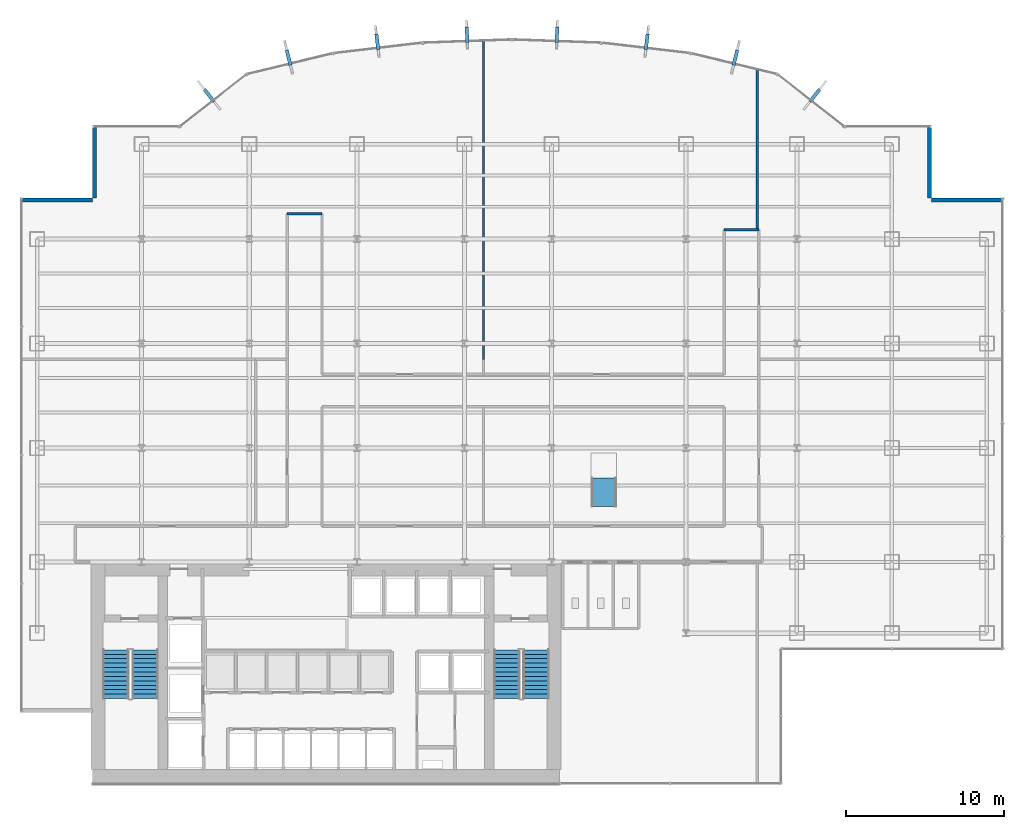
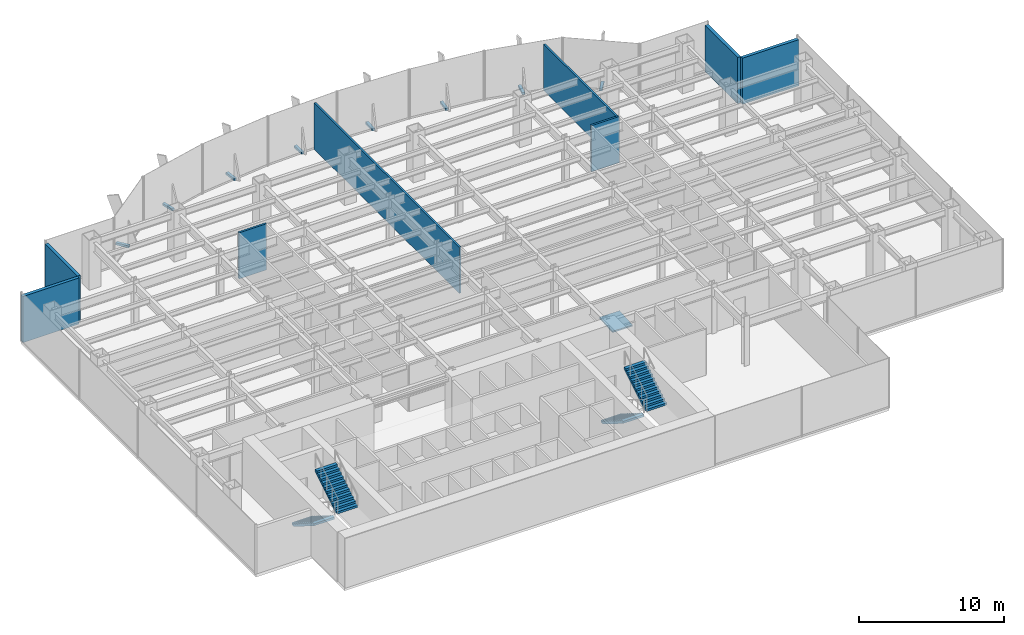
# One storey, part 31 of 35: 8 discrete accessories, 8 walls, 4 stair flights, 1 ramp flight, 3 elements without a shape of their own.
"""IFC4 building model written with IfcOpenShell, lengths in metres."""

import ifcopenshell
import ifcopenshell.guid

model = None  # the IFC model being written
_history = None  # IfcOwnerHistory: only IFC2X3 demands one
_inside = {}  # id of a spatial element -> (the spatial element, [elements in it])
_under = {}  # id of a project, library or spatial element -> (it, [spatial elements below it])
_declared = {}  # id of a project -> (the project, [libraries it declares])
_typed = {}  # id of a type object -> (the type object, [elements of that type])
_made_of = {}  # id of a material, layer set ... -> (it, [elements and type objects made of it])


def new_model(schema):
    """Start an empty IFC model of exactly this schema.

    Asked for "IFC4X3", IfcOpenShell would pick the latest addendum, in which some entities
    have other attributes; the version numbers below select the first issue.
    IFC2X3 requires an IfcOwnerHistory on every rooted entity: one is made here for all.
    """
    global model, _history
    if schema == "IFC4X3":
        model = ifcopenshell.file(schema_version=(4, 3, 0, 0))
    else:
        model = ifcopenshell.file(schema=schema)
    _inside.clear()
    _under.clear()
    _declared.clear()
    _typed.clear()
    _made_of.clear()
    _history = None
    if model.schema == "IFC2X3":
        org = make("IfcOrganization", Name="unknown")
        user = make(
            "IfcPersonAndOrganization",
            ThePerson=make("IfcPerson", FamilyName="unknown"),
            TheOrganization=org,
        )
        app = make(
            "IfcApplication",
            ApplicationDeveloper=org,
            Version="unknown",
            ApplicationFullName="unknown",
            ApplicationIdentifier="unknown",
        )
        _history = make(
            "IfcOwnerHistory",
            OwningUser=user,
            OwningApplication=app,
            ChangeAction="ADDED",
            CreationDate=0,
        )
    return model


def make(cls, **values):
    """One entity of the class cls with the attributes given. An attribute that is None is left unset."""
    return model.create_entity(
        cls, **{name: value for name, value in values.items() if value is not None}
    )


def rooted(cls, **values):
    """An entity with a GlobalId (a new one), such as an element, a storey or a relation."""
    return make(cls, GlobalId=ifcopenshell.guid.new(), OwnerHistory=_history, **values)


def si_unit(unit_type, name, prefix=None):
    """IfcSIUnit, for example si_unit("LENGTHUNIT", "METRE", prefix="MILLI")."""
    return make("IfcSIUnit", UnitType=unit_type, Prefix=prefix, Name=name)


def derived_unit(unit_type, elements):
    """IfcDerivedUnit: a product of units, each with its exponent."""
    return make(
        "IfcDerivedUnit",
        Elements=[
            make("IfcDerivedUnitElement", Unit=unit, Exponent=power)
            for unit, power in elements
        ],
        UnitType=unit_type,
    )


def assignment(units):
    """IfcUnitAssignment: the units of a project."""
    return None if units is None else make("IfcUnitAssignment", Units=units)


def point(xyz):
    """IfcCartesianPoint."""
    return None if xyz is None else make("IfcCartesianPoint", Coordinates=xyz)


def direction(xyz):
    """IfcDirection."""
    return None if xyz is None else make("IfcDirection", DirectionRatios=xyz)


def frame(location, z_axis=None, x_axis=None):
    """IfcAxis2Placement3D, a coordinate frame: its origin and axes. An axis left out is left unset."""
    return make(
        "IfcAxis2Placement3D",
        Location=point(location),
        Axis=direction(z_axis),
        RefDirection=direction(x_axis),
    )


def frame_2d(location, x_axis=None):
    """IfcAxis2Placement2D, a coordinate frame in the plane: its origin and x axis."""
    return make(
        "IfcAxis2Placement2D", Location=point(location), RefDirection=direction(x_axis)
    )


def origin():
    """The frame at (0, 0, 0) with its axes left unset."""
    return frame((0.0, 0.0, 0.0))


def origin_2d():
    """The frame at (0, 0) in the plane with its x axis left unset."""
    return frame_2d((0.0, 0.0))


def place(relative_to, where):
    """IfcLocalPlacement: puts the frame where relative to a parent placement (None: the world)."""
    return make(
        "IfcLocalPlacement", PlacementRelTo=relative_to, RelativePlacement=where
    )


def context(
    kind, dimensions, precision=None, world=None, true_north=None, identifier=None
):
    """IfcGeometricRepresentationContext, for example the 3D "Model" context."""
    return make(
        "IfcGeometricRepresentationContext",
        ContextIdentifier=identifier,
        ContextType=kind,
        CoordinateSpaceDimension=dimensions,
        Precision=precision,
        WorldCoordinateSystem=world,
        TrueNorth=true_north,
    )


def subcontext(parent, identifier, kind, view, scale=None):
    """IfcGeometricRepresentationSubContext, for example "Body" below "Model"."""
    return make(
        "IfcGeometricRepresentationSubContext",
        ContextIdentifier=identifier,
        ContextType=kind,
        ParentContext=parent,
        TargetScale=scale,
        TargetView=view,
    )


def project(units=None, contexts=None):
    """IfcProject with its units and contexts."""
    return rooted(
        "IfcProject",
        Name="project",
        RepresentationContexts=contexts,
        UnitsInContext=assignment(units),
    )


def spatial(cls, under=None, at=None, **own):
    """A site, building, storey or space (cls), placed at a placement, below another one or the project."""
    s = rooted(cls, ObjectPlacement=at, **own)
    if under is not None:
        _under.setdefault(under.id(), (under, []))[1].append(s)
    return s


def polyline(points):
    """IfcPolyline through the points."""
    return make("IfcPolyline", Points=[point(p) for p in points])


def profile(cls, at=None, kind="AREA", **sizes):
    """A parametric profile (cls). Its sizes go by their IFC names, for example OverallWidth=200.0."""
    return make(cls, ProfileType=kind, Position=at, **sizes)


def rectangle(**sizes):
    """IfcRectangleProfileDef."""
    return profile("IfcRectangleProfileDef", **sizes)


def outline(outer, holes=None, kind="AREA"):
    """IfcArbitraryClosedProfileDef: a profile drawn as a closed curve; with holes, ...WithVoids."""
    if holes is None:
        return make("IfcArbitraryClosedProfileDef", ProfileType=kind, OuterCurve=outer)
    return make(
        "IfcArbitraryProfileDefWithVoids",
        ProfileType=kind,
        OuterCurve=outer,
        InnerCurves=holes,
    )


def extrude(swept, where, along, depth):
    """IfcExtrudedAreaSolid: the profile swept, set in the frame where, extruded along a direction by depth."""
    return make(
        "IfcExtrudedAreaSolid",
        SweptArea=swept,
        Position=where,
        ExtrudedDirection=direction(along),
        Depth=depth,
    )


def shape(context_of_items, identifier, shape_type, items):
    """IfcShapeRepresentation: the items that make up one representation, for example the "Body"."""
    return make(
        "IfcShapeRepresentation",
        ContextOfItems=context_of_items,
        RepresentationIdentifier=identifier,
        RepresentationType=shape_type,
        Items=items,
    )


def source(mapping_origin, context_of_items, identifier, shape_type, items):
    """IfcRepresentationMap: a shape defined once, which mapped items show again and again."""
    return make(
        "IfcRepresentationMap",
        MappingOrigin=mapping_origin,
        MappedRepresentation=shape(context_of_items, identifier, shape_type, items),
    )


def transform(
    local_origin,
    x_axis=None,
    y_axis=None,
    z_axis=None,
    scale=None,
    scale2=None,
    scale3=None,
    uniform=True,
):
    """IfcCartesianTransformationOperator3D, or its non-uniform kind. x_axis, y_axis, z_axis: its Axis1, 2, 3."""
    if uniform:
        return make(
            "IfcCartesianTransformationOperator3D",
            Axis1=direction(x_axis),
            Axis2=direction(y_axis),
            LocalOrigin=point(local_origin),
            Scale=scale,
            Axis3=direction(z_axis),
        )
    return make(
        "IfcCartesianTransformationOperator3DnonUniform",
        Axis1=direction(x_axis),
        Axis2=direction(y_axis),
        LocalOrigin=point(local_origin),
        Scale=scale,
        Axis3=direction(z_axis),
        Scale2=scale2,
        Scale3=scale3,
    )


def mapped(mapping_source, mapping_target):
    """IfcMappedItem: shows the shape of a source again, moved by a transform."""
    return make(
        "IfcMappedItem", MappingSource=mapping_source, MappingTarget=mapping_target
    )


def material(Name=None, Category=None):
    """IfcMaterial."""
    return make("IfcMaterial", Name=Name, Category=Category)


def layer(
    of_material, thickness, ventilated=None, Name=None, Category=None, Priority=None
):
    """IfcMaterialLayer: one layer of a wall or slab, of a material (None: an air gap)."""
    return make(
        "IfcMaterialLayer",
        Material=of_material,
        LayerThickness=thickness,
        IsVentilated=ventilated,
        Name=Name,
        Category=Category,
        Priority=Priority,
    )


def layer_set(layers, Name=None):
    """IfcMaterialLayerSet."""
    return make("IfcMaterialLayerSet", MaterialLayers=layers, LayerSetName=Name)


def made_of(thing, what):
    """Note that an element or type object is made of a material, layer set ...; save() writes the relation."""
    if what is not None:
        _made_of.setdefault(what.id(), (what, []))[1].append(thing)
    return thing


def type_object(cls, material=None, **own):
    """A type object (cls), such as IfcWallType, which elements share."""
    return made_of(rooted(cls, **own), material)


def element(
    cls,
    number,
    at=None,
    inside=None,
    cuts=None,
    type_object=None,
    material=None,
    context=None,
    identifier="Body",
    shape_type=None,
    held_by="IfcProductDefinitionShape",
    body=None,
    shapes=None,
    **own,
):
    """One element of the class cls, such as IfcWall. Its Tag is "e" and its number.

    at: its placement. inside: the storey or other place that contains it. cuts: it is an
    opening in that element (IfcRelVoidsElement). A single representation is given by context,
    identifier, shape_type and body (its items); several are given by shapes. held_by: the class
    of the entity that holds the representations. save() writes the other relations.
    """
    e = rooted(cls, Tag="e%d" % number, ObjectPlacement=at, **own)
    if body is not None:
        shapes = [shape(context, identifier, shape_type, body)]
    if shapes is not None:
        e.Representation = make(held_by, Representations=shapes)
    if inside is not None:
        _inside.setdefault(inside.id(), (inside, []))[1].append(e)
    if cuts is not None:
        rooted(
            "IfcRelVoidsElement", RelatingBuildingElement=cuts, RelatedOpeningElement=e
        )
    if type_object is not None:
        _typed.setdefault(type_object.id(), (type_object, []))[1].append(e)
    return made_of(e, material)


def aggregate(whole, parts):
    """IfcRelAggregates: a whole, such as a stair, and the parts it consists of."""
    return rooted("IfcRelAggregates", RelatingObject=whole, RelatedObjects=parts)


def save(model, path):
    """Write the relations noted so far, then the file.

    IfcRelAggregates (storeys below a building ...), IfcRelContainedInSpatialStructure (elements
    in a storey), IfcRelDefinesByType, IfcRelAssociatesMaterial and IfcRelDeclares: one each for
    every whole, place, type object, material and project.
    """
    for whole, parts in _under.values():
        aggregate(whole, parts)
    for where, things in _inside.values():
        rooted(
            "IfcRelContainedInSpatialStructure",
            RelatedElements=things,
            RelatingStructure=where,
        )
    for kind, things in _typed.values():
        rooted("IfcRelDefinesByType", RelatedObjects=things, RelatingType=kind)
    for what, things in _made_of.values():
        rooted("IfcRelAssociatesMaterial", RelatedObjects=things, RelatingMaterial=what)
    for by, libraries in _declared.values():
        rooted("IfcRelDeclares", RelatingContext=by, RelatedDefinitions=libraries)
    model.write(path)


model = new_model("IFC4")

# Units and contexts
model_context = context("Model", 3, precision=1e-05, world=origin(), true_north=direction((0.0, 1.0)))
body_context = subcontext(model_context, "Body", "Model", "MODEL_VIEW")
ifc_project = project(units=[si_unit("LENGTHUNIT", "METRE"), si_unit("AREAUNIT", "SQUARE_METRE"), si_unit("VOLUMEUNIT", "CUBIC_METRE"), si_unit("PLANEANGLEUNIT", "RADIAN"), si_unit("MASSUNIT", "GRAM", prefix="KILO"), derived_unit("THERMALTRANSMITTANCEUNIT", [(si_unit("POWERUNIT", "WATT"), 1), (si_unit("LENGTHUNIT", "METRE"), -2), (si_unit("THERMODYNAMICTEMPERATUREUNIT", "KELVIN"), -1)])], contexts=[model_context])

# Site, building, storey
site_placement = place(None, origin())
site = spatial("IfcSite", under=ifc_project, at=site_placement, CompositionType="ELEMENT")
building_placement = place(site_placement, origin())
building = spatial("IfcBuilding", under=site, at=building_placement, Name="Skarnbrae Concourse Arena and Tower", CompositionType="ELEMENT")
storey_placement = place(building_placement, frame((0.0, 0.0, 79.949951171875)))
storey = spatial("IfcBuildingStorey", under=building, at=storey_placement, Name="L19", CompositionType="ELEMENT", Elevation=79.949951171875)

# Walls
ifc_material_1 = material(Name="Precast concrete 40 MPa (C40/50)", Category="concrete")
ifc_layer_1 = layer(ifc_material_1, 0.25)
ifc_layer_set_1 = layer_set([ifc_layer_1], Name="Precast concrete 40 MPa (C40/50)")
wall_type_1 = type_object("IfcWallType", Name="WALL-EXT-SPANDREL-250", PredefinedType="STANDARD", material=ifc_layer_set_1)
shared_shape_1 = source(origin(), body_context, "Body", "SweptSolid", [
    extrude(rectangle(XDim=4.5, YDim=0.25, at=frame_2d((2.25, 0.0))), origin(), (0.0, 0.0, 1.0), 3.900146484375),
])
for number, where, z_axis, x_axis, name in (
    (1, (62.0, 36.875, 0.0), (0.0, 0.0, 1.0), (-1.0, 0.0, 0.0), "L19 Notched corner insulated return wall 05"),
    (2, (57.375, 37.0, 0.0), (0.0, 0.0, 1.0), (0.0, 1.0, 0.0), "L19 Notched corner insulated return wall 06"),
    (3, (4.625, 41.5, 0.0), (0.0, 0.0, 1.0), (0.0, -1.0, 0.0), "L19 Notched corner insulated return wall 17"),
    (4, (4.5, 36.875, 0.0), (0.0, 0.0, 1.0), (-1.0, 0.0, 0.0), "L19 Notched corner insulated return wall 18"),
):
    element("IfcWall", number, at=place(storey_placement, frame(where, z_axis=z_axis, x_axis=x_axis)), inside=storey, type_object=wall_type_1, Name=name, PredefinedType="STANDARD", context=body_context, shape_type="MappedRepresentation", body=[
        mapped(shared_shape_1, transform((0.0, 0.0, 0.0))),
    ])
ifc_material_2 = material(Name="Gypsum board on cold-formed steel studs", Category="steel")
ifc_layer_2 = layer(ifc_material_2, 0.14990234375)
ifc_layer_set_2 = layer_set([ifc_layer_2], Name="Gypsum board on cold-formed steel studs")
wall_type_2 = type_object("IfcWallType", Name="WALL-PART-150-1HR", PredefinedType="PARTITIONING", material=ifc_layer_set_2)
shared_shape_2 = source(origin(), body_context, "Body", "SweptSolid", [
    extrude(rectangle(XDim=2.199951171875, YDim=0.14990234375, at=frame_2d((1.10009765625, 0.0))), origin(), (0.0, 0.0, 1.0), 3.900146484375),
])
wall_1_placement = place(storey_placement, frame((16.800048828125, 36.0, 0.0), z_axis=(0.0, 0.0, 1.0), x_axis=(1.0, 0.0, 0.0)))
element("IfcWall", 5, at=wall_1_placement, inside=storey, type_object=wall_type_2, Name="L19 Interior partition wall W-L19-COR-07", PredefinedType="PARTITIONING", context=body_context, shape_type="MappedRepresentation", body=[
    mapped(shared_shape_2, transform((0.0, 0.0, 0.0))),
])
shared_shape_3 = source(origin(), body_context, "Body", "SweptSolid", [
    extrude(rectangle(XDim=2.2001953125, YDim=0.14990234375, at=frame_2d((1.10009765625, 0.0))), origin(), (0.0, 0.0, 1.0), 3.900146484375),
])
wall_2_placement = place(storey_placement, frame((44.39990234375, 35.0, 0.0), z_axis=(0.0, 0.0, 1.0), x_axis=(1.0, 0.0, 0.0)))
element("IfcWall", 6, at=wall_2_placement, inside=storey, type_object=wall_type_2, Name="L19 Interior partition wall W-L19-COR-11", PredefinedType="PARTITIONING", context=body_context, shape_type="MappedRepresentation", body=[
    mapped(shared_shape_3, transform((0.0, 0.0, 0.0))),
])
ifc_layer_3 = layer(ifc_material_2, 0.14990234375)
ifc_layer_set_3 = layer_set([ifc_layer_3], Name="Gypsum board on cold-formed steel studs")
wall_type_3 = type_object("IfcWallType", Name="WALL-PART-150", PredefinedType="PARTITIONING", material=ifc_layer_set_3)
shared_shape_4 = source(origin(), body_context, "Body", "SweptSolid", [
    extrude(rectangle(XDim=20.115234375, YDim=0.14990234375, at=frame_2d((10.0576171875, 0.0))), origin(), (0.0, 0.0, 1.0), 3.900146484375),
])
wall_3_placement = place(storey_placement, frame((29.199951171875, 46.915283203125, 0.0), z_axis=(0.0, 0.0, 1.0), x_axis=(0.0, -1.0, 0.0)))
element("IfcWall", 7, at=wall_3_placement, inside=storey, type_object=wall_type_3, Name="L19 Interior partition wall W-L19-DEM-26", PredefinedType="PARTITIONING", context=body_context, shape_type="MappedRepresentation", body=[
    mapped(shared_shape_4, transform((0.0, 0.0, 0.0))),
])
shared_shape_5 = source(origin(), body_context, "Body", "SweptSolid", [
    extrude(rectangle(XDim=10.097412109375, YDim=0.14990234375, at=frame_2d((5.048828125, 0.0))), origin(), (0.0, 0.0, 1.0), 3.900146484375),
])
wall_4_placement = place(storey_placement, frame((46.5, 45.097412109375, 0.0), z_axis=(0.0, 0.0, 1.0), x_axis=(0.0, -1.0, 0.0)))
element("IfcWall", 8, at=wall_4_placement, inside=storey, type_object=wall_type_3, Name="L19 Interior partition wall W-L19-DEM-29", PredefinedType="PARTITIONING", context=body_context, shape_type="MappedRepresentation", body=[
    mapped(shared_shape_5, transform((0.0, 0.0, 0.0))),
])

# Stair, stair flights
ifc_material_3 = material(Name="Concrete 40 MPa (C40/50)", Category="concrete")
stair_type = type_object("IfcStairType", Name="STAIR-DOGLEG-1650", PredefinedType="HALF_TURN_STAIR", material=ifc_material_3)
stair_1_placement = place(storey_placement, origin())
stair_1 = element("IfcStair", 9, at=stair_1_placement, inside=storey, type_object=stair_type, Name="L19 Protected Exit Stair ST-1", PredefinedType="HALF_TURN_STAIR")
stair_flight_type = type_object("IfcStairFlightType", Name="FLIGHT-STRAIGHT-1650", PredefinedType="STRAIGHT", material=ifc_material_3)
shared_shape_6 = source(origin(), body_context, "Body", "SweptSolid", [
    extrude(outline(polyline([(0.0, 0.0), (0.0, 0.175048828125), (0.280029296875, 0.175048828125), (0.280029296875, 0.35009765625), (0.56005859375, 0.35009765625), (0.56005859375, 0.52490234375), (0.840087890625, 0.52490234375), (0.840087890625, 0.699951171875), (1.1201171875, 0.699951171875), (1.1201171875, 0.875), (1.39990234375, 0.875), (1.39990234375, 1.050048828125), (1.679931640625, 1.050048828125), (1.679931640625, 1.22509765625), (1.9599609375, 1.22509765625), (1.9599609375, 1.39990234375), (2.239990234375, 1.39990234375), (2.239990234375, 1.574951171875), (2.52001953125, 1.574951171875), (2.52001953125, 1.75), (2.800048828125, 1.75), (2.800048828125, 1.925048828125), (3.080078125, 1.925048828125), (3.080078125, 2.10009765625), (3.080078125, 1.748291015625), (0.28271484375, 0.0), (0.0, 0.0)])), frame((0.0, 0.824951171875, 0.0), z_axis=(0.0, -1.0, 0.0), x_axis=(1.0, 0.0, 0.0)), (0.0, 0.0, 1.0), 1.64990234375),
])
stair_flight_1_placement = place(storey_placement, frame((5.97509765625, 8.449951171875, 0.0), z_axis=(0.0, 0.0, 1.0), x_axis=(0.0, -1.0, 0.0)))
stair_flight_1 = element("IfcStairFlight", 10, at=stair_flight_1_placement, type_object=stair_flight_type, Name="ST-1 flight 1", NumberOfRisers=12, NumberOfTreads=11, PredefinedType="STRAIGHT", RiserHeight=0.175, TreadLength=0.28, context=body_context, shape_type="MappedRepresentation", body=[
    mapped(shared_shape_6, transform((0.0, 0.0, 0.0))),
])
stair_flight_2_placement = place(storey_placement, frame((7.824951171875, 5.3701171875, 2.10009765625), z_axis=(0.0, 0.0, 1.0), x_axis=(0.0, 1.0, 0.0)))
stair_flight_2 = element("IfcStairFlight", 11, at=stair_flight_2_placement, type_object=stair_flight_type, Name="ST-1 flight 2", NumberOfRisers=12, NumberOfTreads=11, PredefinedType="STRAIGHT", RiserHeight=0.175, TreadLength=0.28, context=body_context, shape_type="MappedRepresentation", body=[
    mapped(shared_shape_6, transform((0.0, 0.0, 0.0))),
])
aggregate(stair_1, [stair_flight_1, stair_flight_2])

stair_2_placement = place(storey_placement, origin())
stair_2 = element("IfcStair", 12, at=stair_2_placement, inside=storey, type_object=stair_type, Name="L19 Protected Exit Stair ST-2", PredefinedType="HALF_TURN_STAIR")
stair_flight_3_placement = place(storey_placement, frame((30.675048828125, 8.449951171875, 0.0), z_axis=(0.0, 0.0, 1.0), x_axis=(0.0, -1.0, 0.0)))
stair_flight_3 = element("IfcStairFlight", 13, at=stair_flight_3_placement, type_object=stair_flight_type, Name="ST-2 flight 1", NumberOfRisers=12, NumberOfTreads=11, PredefinedType="STRAIGHT", RiserHeight=0.175, TreadLength=0.28, context=body_context, shape_type="MappedRepresentation", body=[
    mapped(shared_shape_6, transform((0.0, 0.0, 0.0))),
])
stair_flight_4_placement = place(storey_placement, frame((32.52490234375, 5.3701171875, 2.10009765625), z_axis=(0.0, 0.0, 1.0), x_axis=(0.0, 1.0, 0.0)))
stair_flight_4 = element("IfcStairFlight", 14, at=stair_flight_4_placement, type_object=stair_flight_type, Name="ST-2 flight 2", NumberOfRisers=12, NumberOfTreads=11, PredefinedType="STRAIGHT", RiserHeight=0.175, TreadLength=0.28, context=body_context, shape_type="MappedRepresentation", body=[
    mapped(shared_shape_6, transform((0.0, 0.0, 0.0))),
])
aggregate(stair_2, [stair_flight_3, stair_flight_4])

# Ramp, ramp flight
ramp_type = type_object("IfcRampType", Name="RAMP-ACC-1600", PredefinedType="STRAIGHT_RUN_RAMP", material=ifc_material_3)
ramp_placement = place(storey_placement, origin())
ramp = element("IfcRamp", 15, at=ramp_placement, inside=storey, type_object=ramp_type, Name="L19 Barrier-free accessible ramp R-A05", PredefinedType="STRAIGHT_RUN_RAMP")
ifc_layer_4 = layer(ifc_material_3, 0.25)
ifc_layer_set_4 = layer_set([ifc_layer_4], Name="Concrete 40 MPa (C40/50)")
ramp_flight_type = type_object("IfcRampFlightType", Name="RAMPFLIGHT-ACC-250", PredefinedType="STRAIGHT", material=ifc_layer_set_4)
ramp_flight_placement = place(storey_placement, frame((36.0, 17.5, 0.02001953125), z_axis=(0.0, -0.0665818845, 0.997780964268), x_axis=(1.0, 0.0, 0.0)))
ramp_flight = element("IfcRampFlight", 16, at=ramp_flight_placement, type_object=ramp_flight_type, Name="L19 Accessible ramp flight 05", PredefinedType="STRAIGHT", context=body_context, shape_type="SweptSolid", body=[
    extrude(outline(polyline([(0.0, 0.0), (1.60009765625, 0.0), (1.60009765625, 1.8040520841614014), (0.0, 1.8040520841614014), (0.0, 0.0)])), origin(), (0.0, 0.0, -1.0), 0.1201171875),
])
aggregate(ramp, [ramp_flight])

# Discrete accessories
ifc_material_4 = material(Name="Bronze anodised aluminium 6063-T6", Category="aluminium")
discrete_accessory_type = type_object("IfcDiscreteAccessoryType", Name="ACC-FIN-BRACKET", PredefinedType="BRACKET", material=ifc_material_4)
shared_shape_7 = source(origin(), body_context, "Body", "SweptSolid", [
    extrude(rectangle(XDim=0.219970703125, YDim=0.97998046875, at=origin_2d()), origin(), (0.0, 0.0, 1.0), 0.179931640625),
])
for number, where, z_axis, x_axis, name in (
    (17, (50.129638671875, 43.470947265625, -0.02978515625), (0.0, 0.0, 1.0), (0.787656027369, -0.616115234797, 0.0), "L19 Bronze fin foot support bracket 08"),
    (18, (45.11328125, 45.864990234375, -0.02978515625), (0.0, 0.0, 1.0), (0.971973311258, -0.235091221021, 0.0), "L19 Bronze fin foot support bracket 09"),
    (19, (39.509521484375, 46.865966796875, -0.02978515625), (0.0, 0.0, 1.0), (0.993243759876, -0.116046686587, 0.0), "L19 Bronze fin foot support bracket 10"),
    (20, (33.84130859375, 47.298095703125, -0.02978515625), (0.0, 0.0, 1.0), (0.999355613141, -0.035893710914, 0.0), "L19 Bronze fin foot support bracket 11"),
    (21, (28.15869140625, 47.298095703125, -0.02978515625), (0.0, 0.0, 1.0), (0.999355613141, 0.035893710914, 0.0), "L19 Bronze fin foot support bracket 12"),
    (22, (22.490478515625, 46.865966796875, -0.02978515625), (0.0, 0.0, 1.0), (0.993243759876, 0.116046686587, 0.0), "L19 Bronze fin foot support bracket 13"),
    (23, (16.88671875, 45.864990234375, -0.02978515625), (0.0, 0.0, 1.0), (0.971973311258, 0.235091221021, 0.0), "L19 Bronze fin foot support bracket 14"),
    (24, (11.870361328125, 43.470947265625, -0.02978515625), (0.0, 0.0, 1.0), (0.787656027369, 0.616115234797, 0.0), "L19 Bronze fin foot support bracket 15"),
):
    element("IfcDiscreteAccessory", number, at=place(storey_placement, frame(where, z_axis=z_axis, x_axis=x_axis)), inside=storey, type_object=discrete_accessory_type, Name=name, PredefinedType="BRACKET", context=body_context, shape_type="MappedRepresentation", body=[
        mapped(shared_shape_7, transform((0.0, 0.0, 0.0))),
    ])

save(model, "model.ifc")
